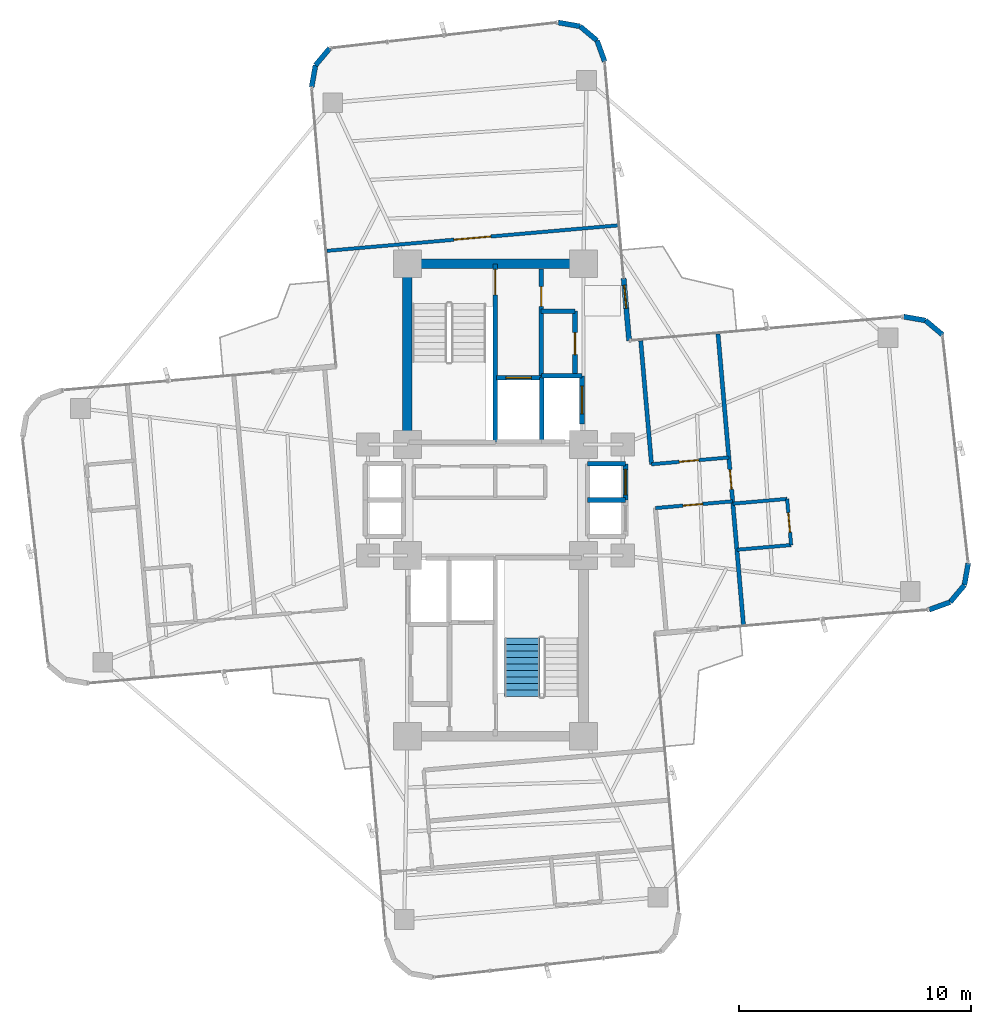
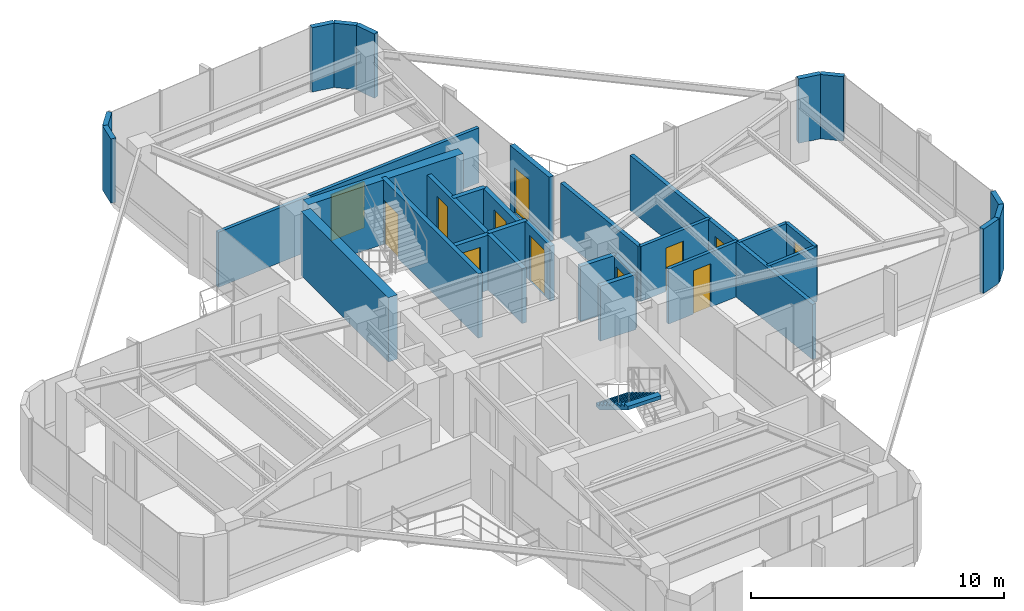
# One storey, part 22 of 24: 32 walls, 12 doors, 1 stair flight, 12 openings, 1 element without a shape of its own.
"""IFC4 building model written with IfcOpenShell, lengths in metres."""

from ifc_helpers import new_model, si_unit, direction, frame, frame_2d, origin, origin_2d, place, context, subcontext, project, spatial, polyline, rectangle, outline, extrude, source, transform, mapped, material, layer, layer_set, type_object, element, fill, aggregate, save


model = new_model("IFC4")

# Units and contexts
model_context = context("Model", 3, precision=1e-05, world=origin(), true_north=direction((0.0, 1.0)))
body_context = subcontext(model_context, "Body", "Model", "MODEL_VIEW")
ifc_project = project(units=[si_unit("LENGTHUNIT", "METRE"), si_unit("AREAUNIT", "SQUARE_METRE"), si_unit("VOLUMEUNIT", "CUBIC_METRE"), si_unit("PLANEANGLEUNIT", "RADIAN"), si_unit("MASSUNIT", "GRAM", prefix="KILO")], contexts=[model_context])

# Site, building, storey
site_placement = place(None, origin())
site = spatial("IfcSite", under=ifc_project, at=site_placement, CompositionType="ELEMENT")
building_placement = place(site_placement, origin())
building = spatial("IfcBuilding", under=site, at=building_placement, Name="Sahyath Konkavel Grand Hotel", CompositionType="ELEMENT")
storey_placement = place(building_placement, frame((0.0, 0.0, 147.25)))
storey = spatial("IfcBuildingStorey", under=building, at=storey_placement, Name="L40", CompositionType="ELEMENT", Elevation=147.25)

# Walls
ifc_material_1 = material(Name="Concrete C50/60", Category="concrete")
ifc_layer_1 = layer(ifc_material_1, 0.419921875)
ifc_layer_set_1 = layer_set([ifc_layer_1], Name="Concrete C50/60")
wall_type_1 = type_object("IfcWallType", Name="CWALL-420", PredefinedType="SHEAR", material=ifc_layer_set_1)
wall_1_placement = place(storey_placement, frame((-3.550048828125, 10.199951171875, 0.0), z_axis=(0.0, 0.0, 1.0), x_axis=(1.0, 0.0, 0.0)))
element("IfcWall", 1, at=wall_1_placement, inside=storey, type_object=wall_type_1, Name="L40 North Core Shear Wall N", PredefinedType="SHEAR", context=body_context, shape_type="SweptSolid", body=[
    extrude(rectangle(XDim=7.10009765625, YDim=0.419921875, at=frame_2d((3.550048828125, 0.0))), origin(), (0.0, 0.0, 1.0), 3.110107421875),
])
wall_2_placement = place(storey_placement, frame((-3.800048828125, 2.85009765625, 0.0), z_axis=(0.0, 0.0, 1.0), x_axis=(0.0, 1.0, 0.0)))
element("IfcWall", 2, at=wall_2_placement, inside=storey, type_object=wall_type_1, Name="L40 North Core Shear Wall W", PredefinedType="SHEAR", context=body_context, shape_type="SweptSolid", body=[
    extrude(rectangle(XDim=6.89990234375, YDim=0.419921875, at=frame_2d((3.449951171875, 0.0))), origin(), (0.0, 0.0, 1.0), 3.110107421875),
])
ifc_material_2 = material(Name="Warm Buff Sandstone Insulated Concrete C40/50", Category="masonry")
ifc_layer_2 = layer(ifc_material_2, 0.219970703125)
ifc_layer_set_2 = layer_set([ifc_layer_2], Name="Warm Buff Sandstone Insulated Concrete C40/50")
wall_type_2 = type_object("IfcWallType", Name="WLL-BALC-THRESH", PredefinedType="STANDARD", material=ifc_layer_set_2)
wall_3_placement = place(storey_placement, frame((18.73388671875, -4.735107421875, 0.0), z_axis=(0.0, 0.0, 1.0), x_axis=(0.939741306239, 0.34188635151, 0.0)))
element("IfcWall", 3, at=wall_3_placement, inside=storey, type_object=wall_type_2, Name="L40 Rounded Corner Sandstone Pier 1", PredefinedType="STANDARD", context=body_context, shape_type="SweptSolid", body=[
    extrude(rectangle(XDim=0.95751953125, YDim=0.219970703125, at=frame_2d((0.478759765625, 0.0))), origin(), (0.0, 0.0, 1.0), 3.110107421875),
])
for number, where, z_axis, x_axis, name in (
    (4, (19.6337890625, -4.40771484375, 0.0), (0.0, 0.0, 1.0), (0.642863236823, 0.765980978054, 0.0), "L40 Rounded Corner Sandstone Pier 2"),
    (5, (20.24951171875, -3.674072265625, 0.0), (0.0, 0.0, 1.0), (0.173610811841, 0.984814340885, 0.0), "L40 Rounded Corner Sandstone Pier 3"),
):
    element("IfcWall", number, at=place(storey_placement, frame(where, z_axis=z_axis, x_axis=x_axis)), inside=storey, type_object=wall_type_2, Name=name, PredefinedType="STANDARD", context=body_context, shape_type="SweptSolid", body=[
        extrude(rectangle(XDim=0.957763671875, YDim=0.219970703125, at=frame_2d((0.47900390625, 0.0))), origin(), (0.0, 0.0, 1.0), 3.110107421875),
    ])
wall_4_placement = place(storey_placement, frame((19.3037109375, 7.134521484375, 0.0), z_axis=(0.0, 0.0, 1.0), x_axis=(-0.766001159887, 0.642839189107, 0.0)))
element("IfcWall", 6, at=wall_4_placement, inside=storey, type_object=wall_type_2, Name="L40 Rounded Corner Sandstone Pier 5", PredefinedType="STANDARD", context=body_context, shape_type="SweptSolid", body=[
    extrude(rectangle(XDim=0.95751953125, YDim=0.219970703125, at=frame_2d((0.478759765625, 0.0))), origin(), (0.0, 0.0, 1.0), 3.110107421875),
])
wall_5_placement = place(storey_placement, frame((18.5703125, 7.75, 0.0), z_axis=(0.0, 0.0, 1.0), x_axis=(-0.984770724397, 0.173858046606, 0.0)))
element("IfcWall", 7, at=wall_5_placement, inside=storey, type_object=wall_type_2, Name="L40 Rounded Corner Sandstone Pier 6", PredefinedType="STANDARD", context=body_context, shape_type="SweptSolid", body=[
    extrude(rectangle(XDim=0.957763671875, YDim=0.219970703125, at=frame_2d((0.47900390625, 0.0))), origin(), (0.0, 0.0, 1.0), 3.110107421875),
])

# Wall, opening, door
wall_6_placement = place(storey_placement, frame((5.7724609375, 6.87939453125, 0.0), z_axis=(0.0, 0.0, 1.0), x_axis=(-0.087168071984, 0.996193619346, 0.0)))
wall_6 = element("IfcWall", 8, at=wall_6_placement, inside=storey, type_object=wall_type_2, Name="L40 Winter-Garden Threshold Wall 8", PredefinedType="STANDARD", context=body_context, shape_type="SweptSolid", body=[
    extrude(rectangle(XDim=2.699951171875, YDim=0.219970703125, at=frame_2d((1.35009765625, 0.0))), origin(), (0.0, 0.0, 1.0), 3.110107421875),
])
opening_1_placement = place(wall_6_placement, frame((1.39990234375, 0.0, 0.0)))
opening_1 = element("IfcOpeningElement", 9, at=opening_1_placement, cuts=wall_6, Name="Opening D-TR1", PredefinedType="OPENING", context=body_context, shape_type="SweptSolid", body=[
    extrude(rectangle(XDim=1.0, YDim=2.199951171875, at=frame_2d((0.5, 1.10009765625))), frame((0.0, 0.1201171875, 0.0), z_axis=(0.0, -1.0, 0.0), x_axis=(1.0, 0.0, 0.0)), (0.0, 0.0, 1.0), 0.239990234375),
])
ifc_material_3 = material(Name="Anodised Bronze Aluminium & Low-E Glazing", Category="aluminium")
door_type_1 = type_object("IfcDoorType", Name="DR-TERRACE-1000", OperationType="NOTDEFINED", PredefinedType="DOOR", material=ifc_material_3)
shared_shape_1 = source(origin(), body_context, "Body", "SweptSolid", [
    extrude(rectangle(XDim=1.0, YDim=0.050048828125, at=origin_2d()), origin(), (0.0, 0.0, 1.0), 2.199951171875),
])
door_1_placement = place(opening_1_placement, frame((0.5, 0.0, 0.0)))
door_1 = element("IfcDoor", 10, at=door_1_placement, inside=storey, type_object=door_type_1, Name="L40 Winter-Garden Terrace Door 8", OperationType="SINGLE_SWING_LEFT", OverallHeight=2.199951171875, OverallWidth=1.0, PredefinedType="DOOR", context=body_context, shape_type="MappedRepresentation", body=[
    mapped(shared_shape_1, transform((0.0, 0.0, 0.0), scale=1.0)),
])
fill(opening_1, door_1)

# Walls
wall_7_placement = place(storey_placement, frame((4.7177734375, 18.93310546875, 0.0), z_axis=(0.0, 0.0, 1.0), x_axis=(-0.34188635151, 0.939741306239, 0.0)))
element("IfcWall", 11, at=wall_7_placement, inside=storey, type_object=wall_type_2, Name="L40 Rounded Corner Sandstone Pier 9", PredefinedType="STANDARD", context=body_context, shape_type="SweptSolid", body=[
    extrude(rectangle(XDim=0.95751953125, YDim=0.219970703125, at=frame_2d((0.478759765625, 0.0))), origin(), (0.0, 0.0, 1.0), 3.110107421875),
])
for number, where, z_axis, x_axis, name in (
    (12, (4.390380859375, 19.8330078125, 0.0), (0.0, 0.0, 1.0), (-0.765980978054, 0.642863236823, 0.0), "L40 Rounded Corner Sandstone Pier 10"),
    (13, (3.65673828125, 20.44873046875, 0.0), (0.0, 0.0, 1.0), (-0.984814340885, 0.173610811841, 0.0), "L40 Rounded Corner Sandstone Pier 11"),
):
    element("IfcWall", number, at=place(storey_placement, frame(where, z_axis=z_axis, x_axis=x_axis)), inside=storey, type_object=wall_type_2, Name=name, PredefinedType="STANDARD", context=body_context, shape_type="SweptSolid", body=[
        extrude(rectangle(XDim=0.957763671875, YDim=0.219970703125, at=frame_2d((0.47900390625, 0.0))), origin(), (0.0, 0.0, 1.0), 3.110107421875),
    ])
for number, where, z_axis, x_axis, name in (
    (14, (-7.152099609375, 19.5029296875, 0.0), (0.0, 0.0, 1.0), (-0.642713642115, -0.766106503196, 0.0), "L40 Rounded Corner Sandstone Pier 13"),
    (15, (-7.767578125, 18.769287109375, 0.0), (0.0, 0.0, 1.0), (-0.173654409999, -0.984806654064, 0.0), "L40 Rounded Corner Sandstone Pier 14"),
):
    element("IfcWall", number, at=place(storey_placement, frame(where, z_axis=z_axis, x_axis=x_axis)), inside=storey, type_object=wall_type_2, Name=name, PredefinedType="STANDARD", context=body_context, shape_type="SweptSolid", body=[
        extrude(rectangle(XDim=0.95751953125, YDim=0.219970703125, at=frame_2d((0.478759765625, 0.0))), origin(), (0.0, 0.0, 1.0), 3.110107421875),
    ])

# Wall, opening, door
ifc_material_4 = material(Name="Concrete C40/50", Category="concrete")
ifc_layer_3 = layer(ifc_material_4, 0.199951171875)
ifc_layer_set_3 = layer_set([ifc_layer_3], Name="Concrete C40/50")
wall_type_3 = type_object("IfcWallType", Name="WLL-CORE-200", PredefinedType="SOLIDWALL", material=ifc_layer_set_3)
wall_8_placement = place(storey_placement, frame((0.0, 2.5, 0.0), z_axis=(0.0, 0.0, 1.0), x_axis=(0.0, 1.0, 0.0)))
wall_8 = element("IfcWall", 16, at=wall_8_placement, inside=storey, type_object=wall_type_3, Name="L40 Stair ST-1 Shaft Wall E", PredefinedType="SOLIDWALL", context=body_context, shape_type="SweptSolid", body=[
    extrude(rectangle(XDim=7.679931640625, YDim=0.199951171875, at=frame_2d((3.83984375, 0.0))), origin(), (0.0, 0.0, 1.0), 3.110107421875),
])
opening_2_placement = place(wall_8_placement, frame((6.360107421875, 0.0, 0.0)))
opening_2 = element("IfcOpeningElement", 17, at=opening_2_placement, cuts=wall_8, Name="Opening D-F12B", PredefinedType="OPENING", context=body_context, shape_type="SweptSolid", body=[
    extrude(rectangle(XDim=1.10009765625, YDim=2.14990234375, at=frame_2d((0.550048828125, 1.074951171875))), frame((0.0, 0.10986328125, 0.0), z_axis=(0.0, -1.0, 0.0), x_axis=(1.0, 0.0, 0.0)), (0.0, 0.0, 1.0), 0.219970703125),
])
ifc_material_5 = material(Name="Steel E350 Smokeproof Fire Door", Category="steel")
door_type_2 = type_object("IfcDoorType", Name="DR-FD120-1100", OperationType="NOTDEFINED", PredefinedType="DOOR", material=ifc_material_5)
shared_shape_2 = source(origin(), body_context, "Body", "SweptSolid", [
    extrude(rectangle(XDim=1.10009765625, YDim=0.050048828125, at=origin_2d()), origin(), (0.0, 0.0, 1.0), 2.14990234375),
])
door_2_placement = place(opening_2_placement, frame((0.550048828125, 0.0, 0.0)))
door_2 = element("IfcDoor", 18, at=door_2_placement, inside=storey, type_object=door_type_2, Name="L40 Stair ST-1 Fire Door", OperationType="SINGLE_SWING_RIGHT", OverallHeight=2.14990234375, OverallWidth=1.10009765625, PredefinedType="DOOR", context=body_context, shape_type="MappedRepresentation", body=[
    mapped(shared_shape_2, transform((0.0, 0.0, 0.0), scale=1.0)),
])
fill(opening_2, door_2)

wall_9_placement = place(storey_placement, frame((1.97998046875, 5.320068359375, 0.0), z_axis=(0.0, 0.0, 1.0), x_axis=(0.0, 1.0, 0.0)))
wall_9 = element("IfcWall", 19, at=wall_9_placement, inside=storey, type_object=wall_type_3, Name="L40 North Firefighting Lobby Wall E", PredefinedType="SOLIDWALL", context=body_context, shape_type="SweptSolid", body=[
    extrude(rectangle(XDim=4.659912109375, YDim=0.199951171875, at=frame_2d((2.330078125, 0.0))), origin(), (0.0, 0.0, 1.0), 2.659912109375),
])
opening_3_placement = place(wall_9_placement, frame((3.0400390625, 0.0, 0.0)))
opening_3 = element("IfcOpeningElement", 20, at=opening_3_placement, cuts=wall_9, Name="Opening D-F12D", PredefinedType="OPENING", context=body_context, shape_type="SweptSolid", body=[
    extrude(rectangle(XDim=0.85009765625, YDim=2.10009765625, at=frame_2d((0.425048828125, 1.050048828125))), frame((0.0, 0.10986328125, 0.0), z_axis=(0.0, -1.0, 0.0), x_axis=(1.0, 0.0, 0.0)), (0.0, 0.0, 1.0), 0.219970703125),
])
ifc_material_6 = material(Name="Steel E350 Core Fire Door", Category="steel")
door_type_3 = type_object("IfcDoorType", Name="DR-FD120-850", OperationType="NOTDEFINED", PredefinedType="DOOR", material=ifc_material_6)
shared_shape_3 = source(origin(), body_context, "Body", "SweptSolid", [
    extrude(rectangle(XDim=0.85009765625, YDim=0.050048828125, at=origin_2d()), origin(), (0.0, 0.0, 1.0), 2.10009765625),
])
door_3_placement = place(opening_3_placement, frame((0.425048828125, 0.0, 0.0)))
door_3 = element("IfcDoor", 21, at=door_3_placement, inside=storey, type_object=door_type_3, Name="L40 North Firefighting Lobby Door", OperationType="SINGLE_SWING_RIGHT", OverallHeight=2.10009765625, OverallWidth=0.85009765625, PredefinedType="DOOR", context=body_context, shape_type="MappedRepresentation", body=[
    mapped(shared_shape_3, transform((0.0, 0.0, 0.0), scale=1.0)),
])
fill(opening_3, door_3)

# Wall
wall_10_placement = place(storey_placement, frame((2.0, 2.5, 0.0), z_axis=(0.0, 0.0, 1.0), x_axis=(0.0, 1.0, 0.0)))
element("IfcWall", 22, at=wall_10_placement, inside=storey, type_object=wall_type_3, Name="L40 Partition SH-FFL1-E", PredefinedType="SOLIDWALL", context=body_context, shape_type="SweptSolid", body=[
    extrude(rectangle(XDim=2.780029296875, YDim=0.199951171875, at=frame_2d((1.39013671875, 0.0))), origin(), (0.0, 0.0, 1.0), 2.659912109375),
])

# Wall, opening, door
wall_11_placement = place(storey_placement, frame((0.050048828125, 5.280029296875, 0.0), z_axis=(0.0, 0.0, 1.0), x_axis=(1.0, 0.0, 0.0)))
wall_11 = element("IfcWall", 23, at=wall_11_placement, inside=storey, type_object=wall_type_3, Name="L40 Partition SH-FFL1-N", PredefinedType="SOLIDWALL", context=body_context, shape_type="SweptSolid", body=[
    extrude(rectangle(XDim=1.929931640625, YDim=0.199951171875, at=frame_2d((0.96484375, 0.0))), origin(), (0.0, 0.0, 1.0), 2.659912109375),
])
opening_4_placement = place(wall_11_placement, frame((0.39990234375, 0.0, 0.0)))
opening_4 = element("IfcOpeningElement", 24, at=opening_4_placement, cuts=wall_11, Name="Opening LD-11", PredefinedType="OPENING", context=body_context, shape_type="SweptSolid", body=[
    extrude(rectangle(XDim=1.10009765625, YDim=2.199951171875, at=frame_2d((0.550048828125, 1.10009765625))), frame((0.0, 0.10986328125, 0.0), z_axis=(0.0, -1.0, 0.0), x_axis=(1.0, 0.0, 0.0)), (0.0, 0.0, 1.0), 0.219970703125),
])
ifc_material_7 = material(Name="Bronze Lift Landing Door 1100")
door_type_4 = type_object("IfcDoorType", Name="DR-LIFT-1100", OperationType="DOUBLE_DOOR_SLIDING", PredefinedType="DOOR", material=ifc_material_7)
shared_shape_4 = source(origin(), body_context, "Body", "SweptSolid", [
    extrude(rectangle(XDim=1.10009765625, YDim=0.050048828125, at=origin_2d()), origin(), (0.0, 0.0, 1.0), 2.199951171875),
])
door_4_placement = place(opening_4_placement, frame((0.550048828125, 0.0, 0.0)))
door_4 = element("IfcDoor", 25, at=door_4_placement, inside=storey, type_object=door_type_4, Name="L40 Lift FFL-1 Landing Door", OperationType="DOUBLE_DOOR_SLIDING", OverallHeight=2.199951171875, OverallWidth=1.10009765625, PredefinedType="DOOR", context=body_context, shape_type="MappedRepresentation", body=[
    mapped(shared_shape_4, transform((0.0, 0.0, 0.0), scale=1.0)),
])
fill(opening_4, door_4)

# Wall
wall_12_placement = place(storey_placement, frame((2.0, 5.360107421875, 0.0), z_axis=(0.0, 0.0, 1.0), x_axis=(1.0, 0.0, 0.0)))
element("IfcWall", 26, at=wall_12_placement, inside=storey, type_object=wall_type_3, Name="L40 Partition SH-SVL1-N", PredefinedType="SOLIDWALL", context=body_context, shape_type="SweptSolid", body=[
    extrude(rectangle(XDim=1.739990234375, YDim=0.199951171875, at=frame_2d((0.8701171875, 0.0))), origin(), (0.0, 0.0, 1.0), 2.659912109375),
])

# Wall, opening, door
wall_13_placement = place(storey_placement, frame((3.739990234375, 3.280029296875, 0.0), z_axis=(0.0, 0.0, 1.0), x_axis=(0.0, 1.0, 0.0)))
wall_13 = element("IfcWall", 27, at=wall_13_placement, inside=storey, type_object=wall_type_3, Name="L40 Partition SH-SVL1-E", PredefinedType="SOLIDWALL", context=body_context, shape_type="SweptSolid", body=[
    extrude(rectangle(XDim=2.080078125, YDim=0.199951171875, at=frame_2d((1.0400390625, 0.0))), origin(), (0.0, 0.0, 1.0), 2.659912109375),
])
opening_5_placement = place(wall_13_placement, frame((0.43994140625, 0.0, 0.0)))
opening_5 = element("IfcOpeningElement", 28, at=opening_5_placement, cuts=wall_13, Name="Opening LD-12", PredefinedType="OPENING", context=body_context, shape_type="SweptSolid", body=[
    extrude(rectangle(XDim=1.199951171875, YDim=2.199951171875, at=frame_2d((0.60009765625, 1.10009765625))), frame((0.0, 0.10986328125, 0.0), z_axis=(0.0, -1.0, 0.0), x_axis=(1.0, 0.0, 0.0)), (0.0, 0.0, 1.0), 0.219970703125),
])
ifc_material_8 = material(Name="Stainless Steel Lift Landing Door 1200", Category="steel")
door_type_5 = type_object("IfcDoorType", Name="DR-LIFT-1200", OperationType="DOUBLE_DOOR_SLIDING", PredefinedType="DOOR", material=ifc_material_8)
shared_shape_5 = source(origin(), body_context, "Body", "SweptSolid", [
    extrude(rectangle(XDim=1.199951171875, YDim=0.050048828125, at=origin_2d()), origin(), (0.0, 0.0, 1.0), 2.199951171875),
])
door_5_placement = place(opening_5_placement, frame((0.60009765625, 0.0, 0.0)))
door_5 = element("IfcDoor", 29, at=door_5_placement, inside=storey, type_object=door_type_5, Name="L40 Service Lift SVL-1 Landing Door", OperationType="DOUBLE_DOOR_SLIDING", OverallHeight=2.199951171875, OverallWidth=1.199951171875, PredefinedType="DOOR", context=body_context, shape_type="MappedRepresentation", body=[
    mapped(shared_shape_5, transform((0.0, 0.0, 0.0), scale=1.0)),
])
fill(opening_5, door_5)

# Walls
for number, where, z_axis, x_axis, name in (
    (30, (3.97998046875, 1.56005859375, 0.0), (0.0, 0.0, 1.0), (1.0, 0.0, 0.0), "L40 Partition SH-PL56-N"),
    (31, (3.97998046875, 0.0, 0.0), (0.0, 0.0, 1.0), (1.0, 0.0, 0.0), "L40 Partition SH-PL56-M"),
):
    element("IfcWall", number, at=place(storey_placement, frame(where, z_axis=z_axis, x_axis=x_axis)), inside=storey, type_object=wall_type_3, Name=name, PredefinedType="SOLIDWALL", context=body_context, shape_type="SweptSolid", body=[
        extrude(rectangle(XDim=1.64013671875, YDim=0.199951171875, at=frame_2d((0.820068359375, 0.0))), origin(), (0.0, 0.0, 1.0), 2.659912109375),
    ])

# Wall, opening, door
wall_14_placement = place(storey_placement, frame((5.6201171875, 0.0, 0.0), z_axis=(0.0, 0.0, 1.0), x_axis=(0.0, 1.0, 0.0)))
wall_14 = element("IfcWall", 32, at=wall_14_placement, inside=storey, type_object=wall_type_3, Name="L40 Partition SH-PL5-E", PredefinedType="SOLIDWALL", context=body_context, shape_type="SweptSolid", body=[
    extrude(rectangle(XDim=1.56005859375, YDim=0.199951171875, at=frame_2d((0.780029296875, 0.0))), origin(), (0.0, 0.0, 1.0), 2.659912109375),
])
opening_6_placement = place(wall_14_placement, frame((0.219970703125, 0.0, 0.0)))
opening_6 = element("IfcOpeningElement", 33, at=opening_6_placement, cuts=wall_14, Name="Opening LD-11", PredefinedType="OPENING", context=body_context, shape_type="SweptSolid", body=[
    extrude(rectangle(XDim=1.10009765625, YDim=2.199951171875, at=frame_2d((0.550048828125, 1.10009765625))), frame((0.0, 0.10986328125, 0.0), z_axis=(0.0, -1.0, 0.0), x_axis=(1.0, 0.0, 0.0)), (0.0, 0.0, 1.0), 0.219970703125),
])
door_6_placement = place(opening_6_placement, frame((0.550048828125, 0.0, 0.0)))
door_6 = element("IfcDoor", 34, at=door_6_placement, inside=storey, type_object=door_type_4, Name="L40 High-Rise Lift PL-5 Landing Door", OperationType="DOUBLE_DOOR_SLIDING", OverallHeight=2.199951171875, OverallWidth=1.10009765625, PredefinedType="DOOR", context=body_context, shape_type="MappedRepresentation", body=[
    mapped(shared_shape_4, transform((0.0, 0.0, 0.0), scale=1.0)),
])
fill(opening_6, door_6)

wall_15_placement = place(storey_placement, frame((3.43994140625, 5.3798828125, 0.0), z_axis=(0.0, 0.0, 1.0), x_axis=(0.0, 1.0, 0.0)))
wall_15 = element("IfcWall", 35, at=wall_15_placement, inside=storey, type_object=wall_type_3, Name="L40 Reclaimed North Core Wall E", PredefinedType="SOLIDWALL", context=body_context, shape_type="SweptSolid", body=[
    extrude(rectangle(XDim=2.77001953125, YDim=0.199951171875, at=frame_2d((1.385009765625, 0.0))), origin(), (0.0, 0.0, 1.0), 2.659912109375),
])
opening_7_placement = place(wall_15_placement, frame((0.89990234375, 0.0, 0.0)))
opening_7 = element("IfcOpeningElement", 36, at=opening_7_placement, cuts=wall_15, Name="Opening D-F06B", PredefinedType="OPENING", context=body_context, shape_type="SweptSolid", body=[
    extrude(rectangle(XDim=0.949951171875, YDim=2.14990234375, at=frame_2d((0.47509765625, 1.074951171875))), frame((0.0, 0.10986328125, 0.0), z_axis=(0.0, -1.0, 0.0), x_axis=(1.0, 0.0, 0.0)), (0.0, 0.0, 1.0), 0.219970703125),
])
ifc_material_9 = material(Name="Teak Veneer Fire-Rated Guest Entrance Door")
door_type_6 = type_object("IfcDoorType", Name="DR-FD60-950", OperationType="NOTDEFINED", PredefinedType="DOOR", material=ifc_material_9)
shared_shape_6 = source(origin(), body_context, "Body", "SweptSolid", [
    extrude(rectangle(XDim=0.949951171875, YDim=0.050048828125, at=origin_2d()), origin(), (0.0, 0.0, 1.0), 2.14990234375),
])
door_7_placement = place(opening_7_placement, frame((0.47509765625, 0.0, 0.0)))
door_7 = element("IfcDoor", 37, at=door_7_placement, inside=storey, type_object=door_type_6, Name="L40 Door NC-REC1-D", OperationType="SINGLE_SWING_RIGHT", OverallHeight=2.14990234375, OverallWidth=0.949951171875, PredefinedType="DOOR", context=body_context, shape_type="MappedRepresentation", body=[
    mapped(shared_shape_6, transform((0.0, 0.0, 0.0), scale=1.0)),
])
fill(opening_7, door_7)

# Walls
wall_16_placement = place(storey_placement, frame((1.97998046875, 8.14990234375, 0.0), z_axis=(0.0, 0.0, 1.0), x_axis=(1.0, 0.0, 0.0)))
element("IfcWall", 38, at=wall_16_placement, inside=storey, type_object=wall_type_3, Name="L40 Partition NC-REC-N", PredefinedType="SOLIDWALL", context=body_context, shape_type="SweptSolid", body=[
    extrude(rectangle(XDim=1.4599609375, YDim=0.199951171875, at=frame_2d((0.72998046875, 0.0))), origin(), (0.0, 0.0, 1.0), 2.659912109375),
])
ifc_material_10 = material(Name="Twin-Stud Acoustic Gypsum Plasterboard Partition")
ifc_layer_4 = layer(ifc_material_10, 0.179931640625)
ifc_layer_set_4 = layer_set([ifc_layer_4], Name="Twin-Stud Acoustic Gypsum Plasterboard Partition")
wall_type_4 = type_object("IfcWallType", Name="WLL-DEMISE-180", PredefinedType="PARTITIONING", material=ifc_layer_set_4)
wall_17_placement = place(storey_placement, frame((6.7412109375, 1.54345703125, 0.0), z_axis=(0.0, 0.0, 1.0), x_axis=(-0.087161289348, 0.996194212812, 0.0)))
element("IfcWall", 39, at=wall_17_placement, inside=storey, type_object=wall_type_4, Name="L40 Partition E-INL", PredefinedType="PARTITIONING", context=body_context, shape_type="SweptSolid", body=[
    extrude(rectangle(XDim=5.349853515625, YDim=0.179931640625, at=frame_2d((2.6748046875, 0.0))), origin(), (0.0, 0.0, 1.0), 2.659912109375),
])

# Wall, opening, door
wall_18_placement = place(storey_placement, frame((10.710205078125, -5.386962890625, 0.0), z_axis=(0.0, 0.0, 1.0), x_axis=(-0.087154691724, 0.996194790044, 0.0)))
wall_18 = element("IfcWall", 40, at=wall_18_placement, inside=storey, type_object=wall_type_4, Name="L40 Partition E-ETIP-END", PredefinedType="PARTITIONING", context=body_context, shape_type="SweptSolid", body=[
    extrude(rectangle(XDim=12.599853515625, YDim=0.179931640625, at=frame_2d((6.2998046875, 0.0))), origin(), (0.0, 0.0, 1.0), 2.659912109375),
])
opening_8_placement = place(wall_18_placement, frame((5.875, 0.0, 0.0)))
opening_8 = element("IfcOpeningElement", 41, at=opening_8_placement, cuts=wall_18, Name="Opening D-F06D", PredefinedType="OPENING", context=body_context, shape_type="SweptSolid", body=[
    extrude(rectangle(XDim=0.85009765625, YDim=2.10009765625, at=frame_2d((0.425048828125, 1.050048828125))), frame((0.0, 0.10009765625, 0.0), z_axis=(0.0, -1.0, 0.0), x_axis=(1.0, 0.0, 0.0)), (0.0, 0.0, 1.0), 0.199951171875),
])
ifc_material_11 = material(Name="Fire-Rated Shaft Access Door")
door_type_7 = type_object("IfcDoorType", Name="DR-FD60-850", OperationType="NOTDEFINED", PredefinedType="DOOR", material=ifc_material_11)
door_8_placement = place(opening_8_placement, frame((0.425048828125, 0.0, 0.0)))
door_8 = element("IfcDoor", 42, at=door_8_placement, inside=storey, type_object=door_type_7, Name="L40 Door E-ETIP-ED", OperationType="SINGLE_SWING_LEFT", OverallHeight=2.10009765625, OverallWidth=0.85009765625, PredefinedType="DOOR", context=body_context, shape_type="MappedRepresentation", body=[
    mapped(shared_shape_3, transform((0.0, 0.0, 0.0), scale=1.0)),
])
fill(opening_8, door_8)

ifc_material_12 = material(Name="Fire-Rated Gypsum Plasterboard Partition")
ifc_layer_5 = layer(ifc_material_12, 0.14990234375)
ifc_layer_set_5 = layer_set([ifc_layer_5], Name="Fire-Rated Gypsum Plasterboard Partition")
wall_type_5 = type_object("IfcWallType", Name="WLL-PART-150", PredefinedType="PARTITIONING", material=ifc_layer_set_5)
wall_19_placement = place(storey_placement, frame((6.7412109375, 1.54345703125, 0.0), z_axis=(0.0, 0.0, 1.0), x_axis=(0.996193954812, 0.087164238054, 0.0)))
wall_19 = element("IfcWall", 43, at=wall_19_placement, inside=storey, type_object=wall_type_5, Name="L40 Partition E-CL", PredefinedType="PARTITIONING", context=body_context, shape_type="SweptSolid", body=[
    extrude(rectangle(XDim=3.349853515625, YDim=0.14990234375, at=frame_2d((1.6748046875, 0.0))), origin(), (0.0, 0.0, 1.0), 2.659912109375),
])
opening_9_placement = place(wall_19_placement, frame((1.199951171875, 0.0, 0.0)))
opening_9 = element("IfcOpeningElement", 44, at=opening_9_placement, cuts=wall_19, Name="Opening D-F06D", PredefinedType="OPENING", context=body_context, shape_type="SweptSolid", body=[
    extrude(rectangle(XDim=0.85009765625, YDim=2.10009765625, at=frame_2d((0.425048828125, 1.050048828125))), frame((0.0, 0.0849609375, 0.0), z_axis=(0.0, -1.0, 0.0), x_axis=(1.0, 0.0, 0.0)), (0.0, 0.0, 1.0), 0.169921875),
])
door_9_placement = place(opening_9_placement, frame((0.425048828125, 0.0, 0.0)))
door_9 = element("IfcDoor", 45, at=door_9_placement, inside=storey, type_object=door_type_7, Name="L40 Door E-ES3L-D", OperationType="SINGLE_SWING_RIGHT", OverallHeight=2.10009765625, OverallWidth=0.85009765625, PredefinedType="DOOR", context=body_context, shape_type="MappedRepresentation", body=[
    mapped(shared_shape_3, transform((0.0, 0.0, 0.0), scale=1.0)),
])
fill(opening_9, door_9)

wall_20_placement = place(storey_placement, frame((6.90673828125, -0.349365234375, 0.0), z_axis=(0.0, 0.0, 1.0), x_axis=(0.996193954812, 0.087164238054, 0.0)))
wall_20 = element("IfcWall", 46, at=wall_20_placement, inside=storey, type_object=wall_type_5, Name="L40 Partition E-CR", PredefinedType="PARTITIONING", context=body_context, shape_type="SweptSolid", body=[
    extrude(rectangle(XDim=3.349853515625, YDim=0.14990234375, at=frame_2d((1.6748046875, 0.0))), origin(), (0.0, 0.0, 1.0), 2.659912109375),
])
opening_10_placement = place(wall_20_placement, frame((1.199951171875, 0.0, 0.0)))
opening_10 = element("IfcOpeningElement", 47, at=opening_10_placement, cuts=wall_20, Name="Opening D-F06D", PredefinedType="OPENING", context=body_context, shape_type="SweptSolid", body=[
    extrude(rectangle(XDim=0.85009765625, YDim=2.10009765625, at=frame_2d((0.425048828125, 1.050048828125))), frame((0.0, 0.0849609375, 0.0), z_axis=(0.0, -1.0, 0.0), x_axis=(1.0, 0.0, 0.0)), (0.0, 0.0, 1.0), 0.169921875),
])
door_10_placement = place(opening_10_placement, frame((0.425048828125, 0.0, 0.0)))
door_10 = element("IfcDoor", 48, at=door_10_placement, inside=storey, type_object=door_type_7, Name="L40 Door E-ES3R-D", OperationType="SINGLE_SWING_LEFT", OverallHeight=2.10009765625, OverallWidth=0.85009765625, PredefinedType="DOOR", context=body_context, shape_type="MappedRepresentation", body=[
    mapped(shared_shape_3, transform((0.0, 0.0, 0.0), scale=1.0)),
])
fill(opening_10, door_10)

# Walls
for number, where, z_axis, x_axis, name in (
    (49, (10.252685546875, -0.156982421875, 0.0), (0.0, 0.0, 1.0), (0.996194055785, 0.087163084034, 0.0), "L40 Partition E-ETIP-BN"),
    (50, (10.427001953125, -2.1494140625, 0.0), (0.0, 0.0, 1.0), (0.996194055785, 0.087163084034, 0.0), "L40 Partition E-ETIP-BS"),
):
    element("IfcWall", number, at=place(storey_placement, frame(where, z_axis=z_axis, x_axis=x_axis)), inside=storey, type_object=wall_type_5, Name=name, PredefinedType="PARTITIONING", context=body_context, shape_type="SweptSolid", body=[
        extrude(rectangle(XDim=2.35009765625, YDim=0.14990234375, at=frame_2d((1.175048828125, 0.0))), origin(), (0.0, 0.0, 1.0), 2.659912109375),
    ])

# Wall, opening, door
wall_21_placement = place(storey_placement, frame((12.76806640625, -1.944580078125, 0.0), z_axis=(0.0, 0.0, 1.0), x_axis=(-0.087156350505, 0.99619464492, 0.0)))
wall_21 = element("IfcWall", 51, at=wall_21_placement, inside=storey, type_object=wall_type_5, Name="L40 Partition E-ETIP-BE", PredefinedType="PARTITIONING", context=body_context, shape_type="SweptSolid", body=[
    extrude(rectangle(XDim=2.0, YDim=0.14990234375, at=frame_2d((1.0, 0.0))), origin(), (0.0, 0.0, 1.0), 2.659912109375),
])
opening_11_placement = place(wall_21_placement, frame((0.550048828125, 0.0, 0.0)))
opening_11 = element("IfcOpeningElement", 52, at=opening_11_placement, cuts=wall_21, Name="Opening D-BT85", PredefinedType="OPENING", context=body_context, shape_type="SweptSolid", body=[
    extrude(rectangle(XDim=0.85009765625, YDim=2.10009765625, at=frame_2d((0.425048828125, 1.050048828125))), frame((0.0, 0.0849609375, 0.0), z_axis=(0.0, -1.0, 0.0), x_axis=(1.0, 0.0, 0.0)), (0.0, 0.0, 1.0), 0.169921875),
])
ifc_material_13 = material(Name="Moisture-Resistant Teak Bathroom Door")
door_type_8 = type_object("IfcDoorType", Name="DR-BATH-850", OperationType="NOTDEFINED", PredefinedType="DOOR", material=ifc_material_13)
door_11_placement = place(opening_11_placement, frame((0.425048828125, 0.0, 0.0)))
door_11 = element("IfcDoor", 53, at=door_11_placement, inside=storey, type_object=door_type_8, Name="L40 Door E-ETIP-BD", OperationType="SINGLE_SWING_RIGHT", OverallHeight=2.10009765625, OverallWidth=0.85009765625, PredefinedType="DOOR", context=body_context, shape_type="MappedRepresentation", body=[
    mapped(shared_shape_3, transform((0.0, 0.0, 0.0), scale=1.0)),
])
fill(opening_11, door_11)

wall_22_placement = place(storey_placement, frame((5.286865234375, 11.85595703125, 0.0), z_axis=(0.0, 0.0, 1.0), x_axis=(-0.996194790044, -0.087154691724, 0.0)))
wall_22 = element("IfcWall", 54, at=wall_22_placement, inside=storey, type_object=wall_type_5, Name="L40 Partition N-SAL-IN", PredefinedType="PARTITIONING", context=body_context, shape_type="SweptSolid", body=[
    extrude(rectangle(XDim=12.599853515625, YDim=0.14990234375, at=frame_2d((6.2998046875, 0.0))), origin(), (0.0, 0.0, 1.0), 2.659912109375),
])
opening_12_placement = place(wall_22_placement, frame((5.5, 0.0, 0.0)))
opening_12 = element("IfcOpeningElement", 55, at=opening_12_placement, cuts=wall_22, Name="Opening D-DB16", PredefinedType="OPENING", context=body_context, shape_type="SweptSolid", body=[
    extrude(rectangle(XDim=1.60009765625, YDim=2.25, at=frame_2d((0.800048828125, 1.125))), frame((0.0, 0.0849609375, 0.0), z_axis=(0.0, -1.0, 0.0), x_axis=(1.0, 0.0, 0.0)), (0.0, 0.0, 1.0), 0.169921875),
])
ifc_material_14 = material(Name="Double Leaf Lounge Glazed Timber Door", Category="wood")
door_type_9 = type_object("IfcDoorType", Name="DR-DBL-1600", OperationType="DOUBLE_DOOR_SINGLE_SWING", PredefinedType="DOOR", material=ifc_material_14)
shared_shape_7 = source(origin(), body_context, "Body", "SweptSolid", [
    extrude(rectangle(XDim=1.60009765625, YDim=0.050048828125, at=origin_2d()), origin(), (0.0, 0.0, 1.0), 2.25),
])
door_12_placement = place(opening_12_placement, frame((0.800048828125, 0.0, 0.0)))
door_12 = element("IfcDoor", 56, at=door_12_placement, inside=storey, type_object=door_type_9, Name="L40 Door N-SAL-D", OperationType="DOUBLE_DOOR_SINGLE_SWING", OverallHeight=2.25, OverallWidth=1.60009765625, PredefinedType="DOOR", context=body_context, shape_type="MappedRepresentation", body=[
    mapped(shared_shape_7, transform((0.0, 0.0, 0.0), scale=1.0)),
])
fill(opening_12, door_12)

# Stair, stair flight
stair_type = type_object("IfcStairType", Name="STR-ST16-335", PredefinedType="HALF_TURN_STAIR", material=ifc_material_4)
stair_placement = place(storey_placement, origin())
stair = element("IfcStair", 57, at=stair_placement, inside=storey, type_object=stair_type, Name="L40 South Core Smokeproof Exit Stair ST-2", PredefinedType="HALF_TURN_STAIR")
stair_flight_type = type_object("IfcStairFlightType", Name="STF-ST16-335", PredefinedType="STRAIGHT", material=ifc_material_4)
stair_flight_placement = place(storey_placement, frame((1.159912109375, -5.9599609375, 1.675048828125), z_axis=(0.0, 0.0, 1.0), x_axis=(0.0, -1.0, 0.0)))
stair_flight = element("IfcStairFlight", 58, at=stair_flight_placement, type_object=stair_flight_type, Name="ST-2 flight 2", NumberOfRisers=10, NumberOfTreads=9, PredefinedType="STRAIGHT", RiserHeight=0.1675, TreadLength=0.28, context=body_context, shape_type="SweptSolid", body=[
    extrude(outline(polyline([(0.0, 0.0), (0.0, 0.16748046875), (0.280029296875, 0.16748046875), (0.280029296875, 0.3349609375), (0.56005859375, 0.3349609375), (0.56005859375, 0.50244140625), (0.840087890625, 0.50244140625), (0.840087890625, 0.669921875), (1.1201171875, 0.669921875), (1.1201171875, 0.83740234375), (1.39990234375, 0.83740234375), (1.39990234375, 1.0048828125), (1.679931640625, 1.0048828125), (1.679931640625, 1.172607421875), (1.9599609375, 1.172607421875), (1.9599609375, 1.340087890625), (2.239990234375, 1.340087890625), (2.239990234375, 1.507568359375), (2.52001953125, 1.507568359375), (2.52001953125, 1.675048828125), (2.52001953125, 1.332763671875), (0.2919921875, 0.0), (0.0, 0.0)])), frame((0.0, 0.760009765625, 0.0), z_axis=(0.0, -1.0, 0.0), x_axis=(1.0, 0.0, 0.0)), (0.0, 0.0, 1.0), 1.52001953125),
])
aggregate(stair, [stair_flight])

save(model, "model.ifc")
